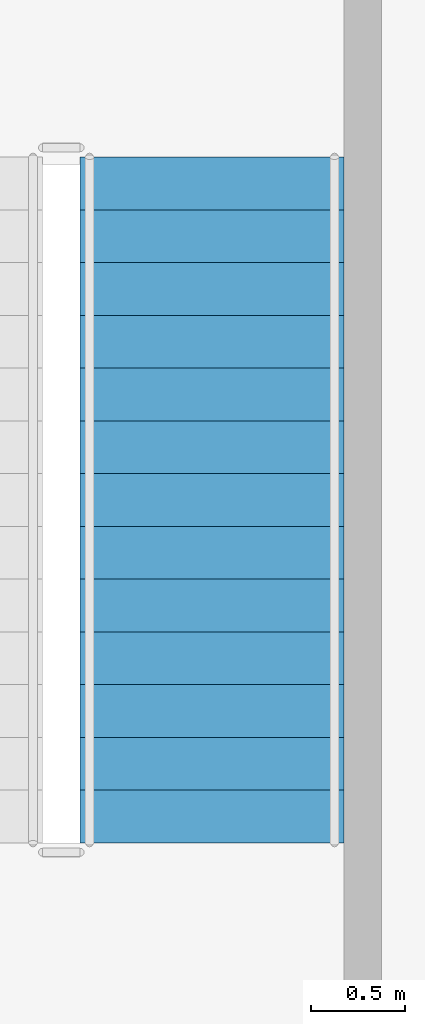
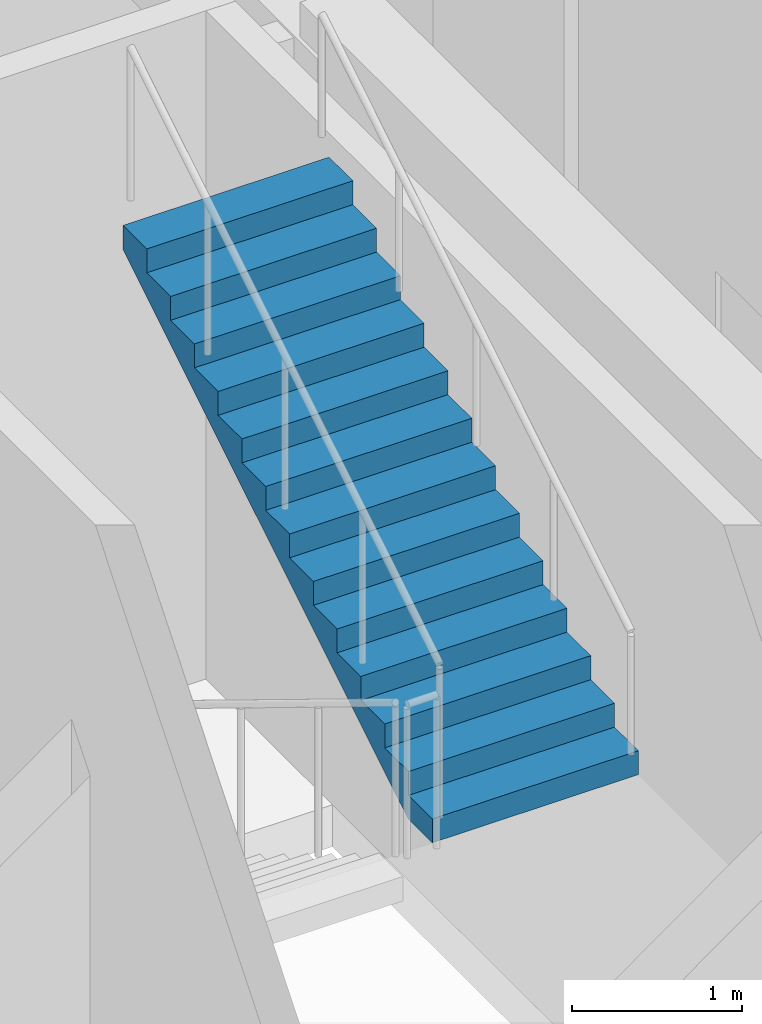
# One storey, part 18 of 20: 1 stair flight, 1 element without a shape of its own.
"""IFC4 building model written with IfcOpenShell, lengths in metres."""

from ifc_helpers import new_model, si_unit, direction, frame, origin, place, context, subcontext, project, spatial, polyline, outline, extrude, source, transform, mapped, material, type_object, element, aggregate, save


model = new_model("IFC4")

# Units and contexts
model_context = context("Model", 3, precision=1e-05, world=origin(), true_north=direction((0.0, 1.0)))
body_context = subcontext(model_context, "Body", "Model", "MODEL_VIEW")
ifc_project = project(units=[si_unit("LENGTHUNIT", "METRE"), si_unit("AREAUNIT", "SQUARE_METRE"), si_unit("VOLUMEUNIT", "CUBIC_METRE"), si_unit("PLANEANGLEUNIT", "RADIAN"), si_unit("MASSUNIT", "GRAM", prefix="KILO")], contexts=[model_context])

# Site, building, storey
site_placement = place(None, origin())
site = spatial("IfcSite", under=ifc_project, at=site_placement, CompositionType="ELEMENT")
building_placement = place(site_placement, origin())
building = spatial("IfcBuilding", under=site, at=building_placement, Name="Nefas-Gora Pilgrimage Tower", CompositionType="ELEMENT")
storey_placement = place(building_placement, frame((0.0, 0.0, 259.800048828125)))
storey = spatial("IfcBuildingStorey", under=building, at=storey_placement, Name="L65", CompositionType="ELEMENT", Elevation=259.800048828125)

# Stair, stair flight
ifc_material = material(Name="Concrete C45/55", Category="concrete")
stair_type = type_object("IfcStairType", Name="STR-1400-R1714", PredefinedType="HALF_TURN_STAIR", material=ifc_material)
stair_placement = place(storey_placement, origin())
stair = element("IfcStair", 1, at=stair_placement, inside=storey, type_object=stair_type, Name="L65 Pressurised Tower Exit Stair ST-02", PredefinedType="HALF_TURN_STAIR")
stair_flight_type = type_object("IfcStairFlightType", Name="STF-1400-R1714", PredefinedType="STRAIGHT", material=ifc_material)
shared_shape = source(origin(), body_context, "Body", "SweptSolid", [
    extrude(outline(polyline([(0.0, 0.0), (0.0, 0.17138671875), (0.280029296875, 0.17138671875), (0.280029296875, 0.3427734375), (0.56005859375, 0.3427734375), (0.56005859375, 0.514404296875), (0.840087890625, 0.514404296875), (0.840087890625, 0.685791015625), (1.1201171875, 0.685791015625), (1.1201171875, 0.857177734375), (1.39990234375, 0.857177734375), (1.39990234375, 1.028564453125), (1.679931640625, 1.028564453125), (1.679931640625, 1.199951171875), (1.9599609375, 1.199951171875), (1.9599609375, 1.371337890625), (2.239990234375, 1.371337890625), (2.239990234375, 1.54296875), (2.52001953125, 1.54296875), (2.52001953125, 1.71435546875), (2.800048828125, 1.71435546875), (2.800048828125, 1.8857421875), (3.080078125, 1.8857421875), (3.080078125, 2.05712890625), (3.360107421875, 2.05712890625), (3.360107421875, 2.228515625), (3.639892578125, 2.228515625), (3.639892578125, 2.39990234375), (3.639892578125, 2.052734375), (0.287109375, 0.0), (0.0, 0.0)])), frame((0.0, 0.699951171875, 0.0), z_axis=(0.0, -1.0, 0.0), x_axis=(1.0, 0.0, 0.0)), (0.0, 0.0, 1.0), 1.39990234375),
])
stair_flight_placement = place(storey_placement, frame((9.800048828125, -6.239990234375, 2.39990234375), z_axis=(0.0, 0.0, 1.0), x_axis=(0.0, 1.0, 0.0)))
stair_flight = element("IfcStairFlight", 2, at=stair_flight_placement, type_object=stair_flight_type, Name="ST-02 flight 2", NumberOfRisers=14, NumberOfTreads=13, PredefinedType="STRAIGHT", RiserHeight=0.171428571, TreadLength=0.28, context=body_context, shape_type="MappedRepresentation", body=[
    mapped(shared_shape, transform((0.0, 0.0, 0.0), x_axis=(1.0, 0.0, 0.0), y_axis=(0.0, 1.0, 0.0), z_axis=(0.0, 0.0, 1.0), scale=1.0)),
])
aggregate(stair, [stair_flight])

save(model, "model.ifc")
